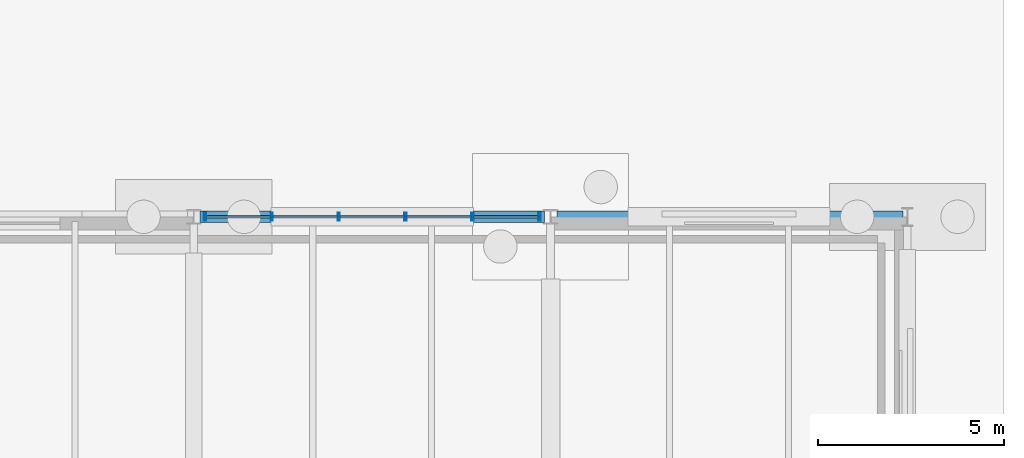
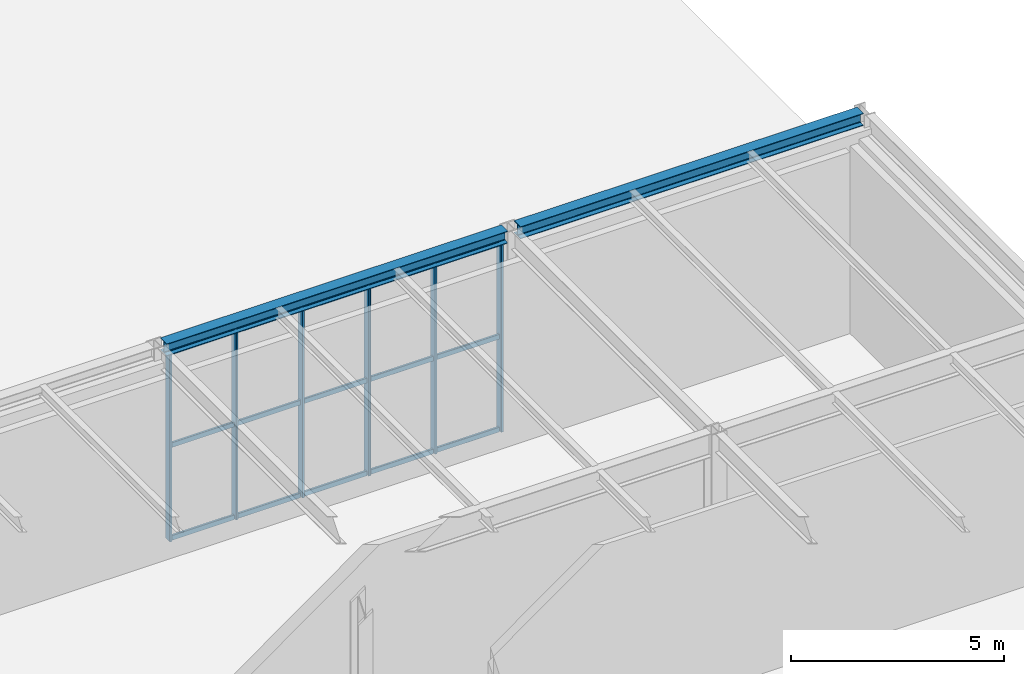
# One storey, part 93 of 142: 21 members, 2 beams, 1 element without a shape of its own.
"""IFC4 building model written with IfcOpenShell, lengths in metres."""

from ifc_helpers import new_model, si_unit, direction, frame, origin, origin_2d, place, context, subcontext, project, spatial, hollow_rectangle, i_section, extrude, material, material_profile, profile_set, type_object, element, aggregate, save


model = new_model("IFC4")

# Units and contexts
model_context = context("Model", 3, precision=1e-05, world=origin(), true_north=direction((0.0, 1.0)))
body_context = subcontext(model_context, "Body", "Model", "MODEL_VIEW")
ifc_project = project(units=[si_unit("LENGTHUNIT", "METRE"), si_unit("AREAUNIT", "SQUARE_METRE"), si_unit("VOLUMEUNIT", "CUBIC_METRE"), si_unit("PLANEANGLEUNIT", "RADIAN"), si_unit("MASSUNIT", "GRAM", prefix="KILO")], contexts=[model_context])

# Site, building, storey
site_placement = place(None, origin())
site = spatial("IfcSite", under=ifc_project, at=site_placement, CompositionType="ELEMENT")
building_placement = place(site_placement, origin())
building = spatial("IfcBuilding", under=site, at=building_placement, Name="Coralgate Yard Interchange", CompositionType="ELEMENT")
storey_placement = place(building_placement, origin())
storey = spatial("IfcBuildingStorey", under=building, at=storey_placement, Name="L00", CompositionType="ELEMENT", Elevation=0.0)

# Beams
ifc_material_1 = material(Name="Structural steel S355J2", Category="steel")
ifc_material_profile_1 = material_profile(ifc_material_1, i_section(OverallWidth=0.300048828125, OverallDepth=0.35009765625, WebThickness=0.010009765625, FlangeThickness=0.017578125, FilletRadius=0.027099609375, at=origin_2d()), Name="HEA 360")
ifc_profile_set_1 = profile_set([ifc_material_profile_1], Name="Structural steel S355J2")
beam_type = type_object("IfcBeamType", Name="BM-SP-1", PredefinedType="SPANDREL", material=ifc_profile_set_1)
beam_1_placement = place(storey_placement, frame((163.369384765625, 48.0, 5.574951171875), z_axis=(1.0, 0.0, 0.0), x_axis=(0.0, 1.0, 0.0)))
element("IfcBeam", 1, at=beam_1_placement, inside=storey, type_object=beam_type, Name="L00 primary grid beam Y5 X17-18", PredefinedType="SPANDREL", context=body_context, shape_type="SweptSolid", body=[
    extrude(i_section(OverallWidth=0.300048828125, OverallDepth=0.35009765625, WebThickness=0.010009765625, FlangeThickness=0.017578125, FilletRadius=0.027099609375, at=origin_2d()), origin(), (0.0, 0.0, 1.0), 9.26123046875),
])
beam_2_placement = place(storey_placement, frame((172.969482421875, 48.0, 5.574951171875), z_axis=(1.0, 0.0, 0.0), x_axis=(0.0, 1.0, 0.0)))
element("IfcBeam", 2, at=beam_2_placement, inside=storey, type_object=beam_type, Name="L00 primary grid beam Y5 X18-19", PredefinedType="SPANDREL", context=body_context, shape_type="SweptSolid", body=[
    extrude(i_section(OverallWidth=0.300048828125, OverallDepth=0.35009765625, WebThickness=0.010009765625, FlangeThickness=0.017578125, FilletRadius=0.027099609375, at=origin_2d()), origin(), (0.0, 0.0, 1.0), 9.310546875),
])

# Curtain wall, members
ifc_material_2 = material(Name="Anodised coastal aluminium and solar-control low-E glass", Category="aluminium")
curtain_wall_type = type_object("IfcCurtainWallType", Name="CW-CW-L00-A", PredefinedType="NOTDEFINED", material=ifc_material_2)
curtain_wall_placement = place(storey_placement, origin())
curtain_wall = element("IfcCurtainWall", 3, at=curtain_wall_placement, inside=storey, type_object=curtain_wall_type, Name="L00 unitised curtain wall CW-L00-N-17-04", PredefinedType="NOTDEFINED")
ifc_material_3 = material(Name="Anodised coastal aluminium 6063-T6", Category="aluminium")
ifc_material_profile_2 = material_profile(ifc_material_3, hollow_rectangle(XDim=0.06005859375, YDim=0.219970703125, WallThickness=0.00390625, InnerFilletRadius=0.00390625, OuterFilletRadius=0.008056640625, at=origin_2d()), Name="ALU 60x220x4")
ifc_profile_set_2 = profile_set([ifc_material_profile_2], Name="Anodised coastal aluminium 6063-T6")
member_type_1 = type_object("IfcMemberType", Name="MB-MUL-220", PredefinedType="MULLION", material=ifc_profile_set_2)
member_1_placement = place(storey_placement, frame((163.5, 48.0, 0.0), z_axis=(0.0, 0.0, 1.0), x_axis=(1.0, 0.0, 0.0)))
member_1 = element("IfcMember", 4, at=member_1_placement, type_object=member_type_1, Name="CW-L00-N-17-04 vertical mullion 1", PredefinedType="MULLION", context=body_context, shape_type="SweptSolid", body=[
    extrude(hollow_rectangle(XDim=0.06005859375, YDim=0.219970703125, WallThickness=0.00390625, InnerFilletRadius=0.00390625, OuterFilletRadius=0.008056640625, at=origin_2d()), origin(), (0.0, 0.0, 1.0), 5.39990234375),
])
member_2_placement = place(storey_placement, frame((165.300048828125, 48.0, 0.0), z_axis=(0.0, 0.0, 1.0), x_axis=(1.0, 0.0, 0.0)))
member_2 = element("IfcMember", 5, at=member_2_placement, type_object=member_type_1, Name="CW-L00-N-17-04 vertical mullion 2", PredefinedType="MULLION", context=body_context, shape_type="SweptSolid", body=[
    extrude(hollow_rectangle(XDim=0.06005859375, YDim=0.219970703125, WallThickness=0.00390625, InnerFilletRadius=0.00390625, OuterFilletRadius=0.008056640625, at=origin_2d()), origin(), (0.0, 0.0, 1.0), 5.39990234375),
])
member_3_placement = place(storey_placement, frame((167.10009765625, 48.0, 0.0), z_axis=(0.0, 0.0, 1.0), x_axis=(1.0, 0.0, 0.0)))
member_3 = element("IfcMember", 6, at=member_3_placement, type_object=member_type_1, Name="CW-L00-N-17-04 vertical mullion 3", PredefinedType="MULLION", context=body_context, shape_type="SweptSolid", body=[
    extrude(hollow_rectangle(XDim=0.06005859375, YDim=0.219970703125, WallThickness=0.00390625, InnerFilletRadius=0.00390625, OuterFilletRadius=0.008056640625, at=origin_2d()), origin(), (0.0, 0.0, 1.0), 5.39990234375),
])
member_4_placement = place(storey_placement, frame((168.89990234375, 48.0, 0.0), z_axis=(0.0, 0.0, 1.0), x_axis=(1.0, 0.0, 0.0)))
member_4 = element("IfcMember", 7, at=member_4_placement, type_object=member_type_1, Name="CW-L00-N-17-04 vertical mullion 4", PredefinedType="MULLION", context=body_context, shape_type="SweptSolid", body=[
    extrude(hollow_rectangle(XDim=0.06005859375, YDim=0.219970703125, WallThickness=0.00390625, InnerFilletRadius=0.00390625, OuterFilletRadius=0.008056640625, at=origin_2d()), origin(), (0.0, 0.0, 1.0), 5.39990234375),
])
member_5_placement = place(storey_placement, frame((170.699951171875, 48.0, 0.0), z_axis=(0.0, 0.0, 1.0), x_axis=(1.0, 0.0, 0.0)))
member_5 = element("IfcMember", 8, at=member_5_placement, type_object=member_type_1, Name="CW-L00-N-17-04 vertical mullion 5", PredefinedType="MULLION", context=body_context, shape_type="SweptSolid", body=[
    extrude(hollow_rectangle(XDim=0.06005859375, YDim=0.219970703125, WallThickness=0.00390625, InnerFilletRadius=0.00390625, OuterFilletRadius=0.008056640625, at=origin_2d()), origin(), (0.0, 0.0, 1.0), 5.39990234375),
])
member_6_placement = place(storey_placement, frame((172.5, 48.0, 0.0), z_axis=(0.0, 0.0, 1.0), x_axis=(1.0, 0.0, 0.0)))
member_6 = element("IfcMember", 9, at=member_6_placement, type_object=member_type_1, Name="CW-L00-N-17-04 vertical mullion 6", PredefinedType="MULLION", context=body_context, shape_type="SweptSolid", body=[
    extrude(hollow_rectangle(XDim=0.06005859375, YDim=0.219970703125, WallThickness=0.00390625, InnerFilletRadius=0.00390625, OuterFilletRadius=0.008056640625, at=origin_2d()), origin(), (0.0, 0.0, 1.0), 5.39990234375),
])
ifc_material_profile_3 = material_profile(ifc_material_3, hollow_rectangle(XDim=0.06005859375, YDim=0.139892578125, WallThickness=0.00341796875, InnerFilletRadius=0.00341796875, OuterFilletRadius=0.007080078125, at=origin_2d()), Name="ALU 60x140x3.5")
ifc_profile_set_3 = profile_set([ifc_material_profile_3], Name="Anodised coastal aluminium 6063-T6")
member_type_2 = type_object("IfcMemberType", Name="MB-TRN-140", PredefinedType="USERDEFINED", material=ifc_profile_set_3)
member_7_placement = place(storey_placement, frame((163.530029296875, 48.0, 0.034912109375), z_axis=(1.0, 0.0, 0.0), x_axis=(0.0, 1.0, 0.0)))
member_7 = element("IfcMember", 10, at=member_7_placement, type_object=member_type_2, Name="CW-L00-N-17-04 horizontal transom 1-1", ObjectType="TRANSOM", PredefinedType="USERDEFINED", context=body_context, shape_type="SweptSolid", body=[
    extrude(hollow_rectangle(XDim=0.06005859375, YDim=0.139892578125, WallThickness=0.00341796875, InnerFilletRadius=0.00341796875, OuterFilletRadius=0.007080078125, at=origin_2d()), origin(), (0.0, 0.0, 1.0), 1.739990234375),
])
member_8_placement = place(storey_placement, frame((163.530029296875, 48.0, 2.699951171875), z_axis=(1.0, 0.0, 0.0), x_axis=(0.0, 1.0, 0.0)))
member_8 = element("IfcMember", 11, at=member_8_placement, type_object=member_type_2, Name="CW-L00-N-17-04 horizontal transom 1-2", ObjectType="TRANSOM", PredefinedType="USERDEFINED", context=body_context, shape_type="SweptSolid", body=[
    extrude(hollow_rectangle(XDim=0.06005859375, YDim=0.139892578125, WallThickness=0.00341796875, InnerFilletRadius=0.00341796875, OuterFilletRadius=0.007080078125, at=origin_2d()), origin(), (0.0, 0.0, 1.0), 1.739990234375),
])
member_9_placement = place(storey_placement, frame((163.530029296875, 48.0, 5.364990234375), z_axis=(1.0, 0.0, 0.0), x_axis=(0.0, 1.0, 0.0)))
member_9 = element("IfcMember", 12, at=member_9_placement, type_object=member_type_2, Name="CW-L00-N-17-04 horizontal transom 1-3", ObjectType="TRANSOM", PredefinedType="USERDEFINED", context=body_context, shape_type="SweptSolid", body=[
    extrude(hollow_rectangle(XDim=0.06005859375, YDim=0.139892578125, WallThickness=0.00341796875, InnerFilletRadius=0.00341796875, OuterFilletRadius=0.007080078125, at=origin_2d()), origin(), (0.0, 0.0, 1.0), 1.739990234375),
])
member_10_placement = place(storey_placement, frame((165.330078125, 48.0, 0.034912109375), z_axis=(1.0, 0.0, 0.0), x_axis=(0.0, 1.0, 0.0)))
member_10 = element("IfcMember", 13, at=member_10_placement, type_object=member_type_2, Name="CW-L00-N-17-04 horizontal transom 2-1", ObjectType="TRANSOM", PredefinedType="USERDEFINED", context=body_context, shape_type="SweptSolid", body=[
    extrude(hollow_rectangle(XDim=0.06005859375, YDim=0.139892578125, WallThickness=0.00341796875, InnerFilletRadius=0.00341796875, OuterFilletRadius=0.007080078125, at=origin_2d()), origin(), (0.0, 0.0, 1.0), 1.739990234375),
])
member_11_placement = place(storey_placement, frame((165.330078125, 48.0, 2.699951171875), z_axis=(1.0, 0.0, 0.0), x_axis=(0.0, 1.0, 0.0)))
member_11 = element("IfcMember", 14, at=member_11_placement, type_object=member_type_2, Name="CW-L00-N-17-04 horizontal transom 2-2", ObjectType="TRANSOM", PredefinedType="USERDEFINED", context=body_context, shape_type="SweptSolid", body=[
    extrude(hollow_rectangle(XDim=0.06005859375, YDim=0.139892578125, WallThickness=0.00341796875, InnerFilletRadius=0.00341796875, OuterFilletRadius=0.007080078125, at=origin_2d()), origin(), (0.0, 0.0, 1.0), 1.739990234375),
])
member_12_placement = place(storey_placement, frame((165.330078125, 48.0, 5.364990234375), z_axis=(1.0, 0.0, 0.0), x_axis=(0.0, 1.0, 0.0)))
member_12 = element("IfcMember", 15, at=member_12_placement, type_object=member_type_2, Name="CW-L00-N-17-04 horizontal transom 2-3", ObjectType="TRANSOM", PredefinedType="USERDEFINED", context=body_context, shape_type="SweptSolid", body=[
    extrude(hollow_rectangle(XDim=0.06005859375, YDim=0.139892578125, WallThickness=0.00341796875, InnerFilletRadius=0.00341796875, OuterFilletRadius=0.007080078125, at=origin_2d()), origin(), (0.0, 0.0, 1.0), 1.739990234375),
])
member_13_placement = place(storey_placement, frame((167.1298828125, 48.0, 0.034912109375), z_axis=(1.0, 0.0, 0.0), x_axis=(0.0, 1.0, 0.0)))
member_13 = element("IfcMember", 16, at=member_13_placement, type_object=member_type_2, Name="CW-L00-N-17-04 horizontal transom 3-1", ObjectType="TRANSOM", PredefinedType="USERDEFINED", context=body_context, shape_type="SweptSolid", body=[
    extrude(hollow_rectangle(XDim=0.06005859375, YDim=0.139892578125, WallThickness=0.00341796875, InnerFilletRadius=0.00341796875, OuterFilletRadius=0.007080078125, at=origin_2d()), origin(), (0.0, 0.0, 1.0), 1.740234375),
])
member_14_placement = place(storey_placement, frame((167.1298828125, 48.0, 2.699951171875), z_axis=(1.0, 0.0, 0.0), x_axis=(0.0, 1.0, 0.0)))
member_14 = element("IfcMember", 17, at=member_14_placement, type_object=member_type_2, Name="CW-L00-N-17-04 horizontal transom 3-2", ObjectType="TRANSOM", PredefinedType="USERDEFINED", context=body_context, shape_type="SweptSolid", body=[
    extrude(hollow_rectangle(XDim=0.06005859375, YDim=0.139892578125, WallThickness=0.00341796875, InnerFilletRadius=0.00341796875, OuterFilletRadius=0.007080078125, at=origin_2d()), origin(), (0.0, 0.0, 1.0), 1.740234375),
])
member_15_placement = place(storey_placement, frame((167.1298828125, 48.0, 5.364990234375), z_axis=(1.0, 0.0, 0.0), x_axis=(0.0, 1.0, 0.0)))
member_15 = element("IfcMember", 18, at=member_15_placement, type_object=member_type_2, Name="CW-L00-N-17-04 horizontal transom 3-3", ObjectType="TRANSOM", PredefinedType="USERDEFINED", context=body_context, shape_type="SweptSolid", body=[
    extrude(hollow_rectangle(XDim=0.06005859375, YDim=0.139892578125, WallThickness=0.00341796875, InnerFilletRadius=0.00341796875, OuterFilletRadius=0.007080078125, at=origin_2d()), origin(), (0.0, 0.0, 1.0), 1.740234375),
])
member_16_placement = place(storey_placement, frame((168.929931640625, 48.0, 0.034912109375), z_axis=(1.0, 0.0, 0.0), x_axis=(0.0, 1.0, 0.0)))
member_16 = element("IfcMember", 19, at=member_16_placement, type_object=member_type_2, Name="CW-L00-N-17-04 horizontal transom 4-1", ObjectType="TRANSOM", PredefinedType="USERDEFINED", context=body_context, shape_type="SweptSolid", body=[
    extrude(hollow_rectangle(XDim=0.06005859375, YDim=0.139892578125, WallThickness=0.00341796875, InnerFilletRadius=0.00341796875, OuterFilletRadius=0.007080078125, at=origin_2d()), origin(), (0.0, 0.0, 1.0), 1.739990234375),
])
member_17_placement = place(storey_placement, frame((168.929931640625, 48.0, 2.699951171875), z_axis=(1.0, 0.0, 0.0), x_axis=(0.0, 1.0, 0.0)))
member_17 = element("IfcMember", 20, at=member_17_placement, type_object=member_type_2, Name="CW-L00-N-17-04 horizontal transom 4-2", ObjectType="TRANSOM", PredefinedType="USERDEFINED", context=body_context, shape_type="SweptSolid", body=[
    extrude(hollow_rectangle(XDim=0.06005859375, YDim=0.139892578125, WallThickness=0.00341796875, InnerFilletRadius=0.00341796875, OuterFilletRadius=0.007080078125, at=origin_2d()), origin(), (0.0, 0.0, 1.0), 1.739990234375),
])
member_18_placement = place(storey_placement, frame((168.929931640625, 48.0, 5.364990234375), z_axis=(1.0, 0.0, 0.0), x_axis=(0.0, 1.0, 0.0)))
member_18 = element("IfcMember", 21, at=member_18_placement, type_object=member_type_2, Name="CW-L00-N-17-04 horizontal transom 4-3", ObjectType="TRANSOM", PredefinedType="USERDEFINED", context=body_context, shape_type="SweptSolid", body=[
    extrude(hollow_rectangle(XDim=0.06005859375, YDim=0.139892578125, WallThickness=0.00341796875, InnerFilletRadius=0.00341796875, OuterFilletRadius=0.007080078125, at=origin_2d()), origin(), (0.0, 0.0, 1.0), 1.739990234375),
])
member_19_placement = place(storey_placement, frame((170.72998046875, 48.0, 0.034912109375), z_axis=(1.0, 0.0, 0.0), x_axis=(0.0, 1.0, 0.0)))
member_19 = element("IfcMember", 22, at=member_19_placement, type_object=member_type_2, Name="CW-L00-N-17-04 horizontal transom 5-1", ObjectType="TRANSOM", PredefinedType="USERDEFINED", context=body_context, shape_type="SweptSolid", body=[
    extrude(hollow_rectangle(XDim=0.06005859375, YDim=0.139892578125, WallThickness=0.00341796875, InnerFilletRadius=0.00341796875, OuterFilletRadius=0.007080078125, at=origin_2d()), origin(), (0.0, 0.0, 1.0), 1.739990234375),
])
member_20_placement = place(storey_placement, frame((170.72998046875, 48.0, 2.699951171875), z_axis=(1.0, 0.0, 0.0), x_axis=(0.0, 1.0, 0.0)))
member_20 = element("IfcMember", 23, at=member_20_placement, type_object=member_type_2, Name="CW-L00-N-17-04 horizontal transom 5-2", ObjectType="TRANSOM", PredefinedType="USERDEFINED", context=body_context, shape_type="SweptSolid", body=[
    extrude(hollow_rectangle(XDim=0.06005859375, YDim=0.139892578125, WallThickness=0.00341796875, InnerFilletRadius=0.00341796875, OuterFilletRadius=0.007080078125, at=origin_2d()), origin(), (0.0, 0.0, 1.0), 1.739990234375),
])
member_21_placement = place(storey_placement, frame((170.72998046875, 48.0, 5.364990234375), z_axis=(1.0, 0.0, 0.0), x_axis=(0.0, 1.0, 0.0)))
member_21 = element("IfcMember", 24, at=member_21_placement, type_object=member_type_2, Name="CW-L00-N-17-04 horizontal transom 5-3", ObjectType="TRANSOM", PredefinedType="USERDEFINED", context=body_context, shape_type="SweptSolid", body=[
    extrude(hollow_rectangle(XDim=0.06005859375, YDim=0.139892578125, WallThickness=0.00341796875, InnerFilletRadius=0.00341796875, OuterFilletRadius=0.007080078125, at=origin_2d()), origin(), (0.0, 0.0, 1.0), 1.739990234375),
])
aggregate(curtain_wall, [member_1, member_2, member_3, member_4, member_5, member_6, member_7, member_8, member_9, member_10, member_11, member_12, member_13, member_14, member_15, member_16, member_17, member_18, member_19, member_20, member_21])

save(model, "model.ifc")
